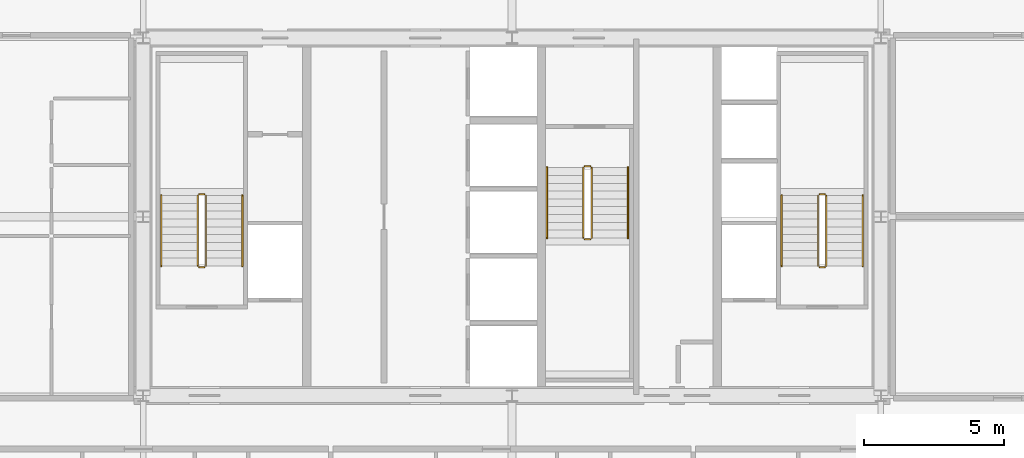
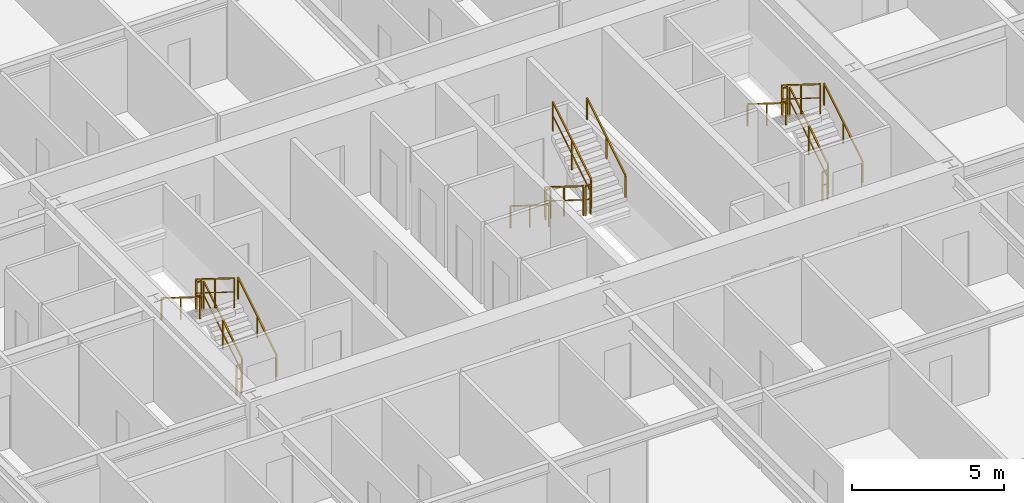
# One storey, part 38 of 38: 18 railings.
"""IFC4 building model written with IfcOpenShell, lengths in metres."""

from ifc_helpers import new_model, si_unit, direction, frame, origin, origin_2d, place, context, subcontext, project, spatial, rectangle, extrude, source, transform, mapped, material, layer, layer_set, type_object, element, save


model = new_model("IFC4")

# Units and contexts
model_context = context("Model", 3, precision=1e-05, world=origin(), true_north=direction((0.0, 1.0)))
body_context = subcontext(model_context, "Body", "Model", "MODEL_VIEW")
ifc_project = project(units=[si_unit("LENGTHUNIT", "METRE"), si_unit("AREAUNIT", "SQUARE_METRE"), si_unit("VOLUMEUNIT", "CUBIC_METRE"), si_unit("PLANEANGLEUNIT", "RADIAN"), si_unit("MASSUNIT", "GRAM", prefix="KILO"), si_unit("THERMODYNAMICTEMPERATUREUNIT", "KELVIN"), si_unit("POWERUNIT", "WATT")], contexts=[model_context])

# Site, building, storey
site_placement = place(None, origin())
site = spatial("IfcSite", under=ifc_project, at=site_placement, CompositionType="ELEMENT")
building_placement = place(site_placement, origin())
building = spatial("IfcBuilding", under=site, at=building_placement, Name="Yuzanri Waterfront Tower", CompositionType="ELEMENT")
storey_placement = place(building_placement, frame((0.0, 0.0, 202.0)))
storey = spatial("IfcBuildingStorey", under=building, at=storey_placement, Name="L53", CompositionType="ELEMENT", Elevation=202.0)

# Railings
ifc_material_1 = material(Name="Painted Galvanized Fire Steel", Category="steel")
ifc_layer_1 = layer(ifc_material_1, 0.06005859375)
ifc_layer_set_1 = layer_set([ifc_layer_1], Name="Painted Galvanized Fire Steel")
railing_type_1 = type_object("IfcRailingType", Name="Painted Steel Stairwell Guardrail 1120", PredefinedType="GUARDRAIL", material=ifc_layer_set_1)
shared_shape_1 = source(origin(), body_context, "Body", "SweptSolid", [
    extrude(rectangle(XDim=0.050048828125, YDim=0.050048828125, at=origin_2d()), frame((0.0, 0.0, 1.1748046875), z_axis=(-1.0, 0.0, 0.0), x_axis=(0.0, -1.0, 0.0)), (0.0, 0.0, 1.0), 0.199951171875),
    extrude(rectangle(XDim=0.035888671875, YDim=0.030029296875, at=origin_2d()), frame((0.0, 0.0, 0.6240234375), z_axis=(-1.0, 0.0, 0.0), x_axis=(0.0, -1.0, 0.0)), (0.0, 0.0, 1.0), 0.199951171875),
    extrude(rectangle(XDim=0.0458984375, YDim=0.0458984375, at=origin_2d()), origin(), (0.0, 0.0, 1.0), 1.14990234375),
    extrude(rectangle(XDim=0.0458984375, YDim=0.0458984375, at=origin_2d()), frame((-0.199951171875, 0.0, 0.0)), (0.0, 0.0, 1.0), 1.14990234375),
])
for number, where, name in (
    (1, (26.0, 26.610107421875, 1.75), "L53 ST-01 stair guard 2"),
    (2, (26.0, 23.989990234375, 0.0), "L53 ST-01 stair guard 4"),
    (3, (48.199951171875, 26.610107421875, 1.75), "L53 ST-02 stair guard 2"),
    (4, (48.199951171875, 23.989990234375, 0.0), "L53 ST-02 stair guard 4"),
):
    element("IfcRailing", number, at=place(storey_placement, frame(where)), inside=storey, type_object=railing_type_1, Name=name, PredefinedType="GUARDRAIL", context=body_context, shape_type="MappedRepresentation", body=[
        mapped(shared_shape_1, transform((0.0, 0.0, 0.0), scale=1.0)),
    ])
shared_shape_2 = source(origin(), body_context, "Body", "SweptSolid", [
    extrude(rectangle(XDim=0.050048828125, YDim=0.050048828125, at=origin_2d()), frame((0.0, 0.0, 1.1748046875), z_axis=(0.0, 0.848007534815, 0.529984170421), x_axis=(-1.0, 0.0, 0.0)), (0.0, 0.0, 1.0), 2.9716796875),
    extrude(rectangle(XDim=0.035888671875, YDim=0.030029296875, at=origin_2d()), frame((0.0, 0.0, 0.6240234375), z_axis=(0.0, 0.848007534815, 0.529984170421), x_axis=(-1.0, 0.0, 0.0)), (0.0, 0.0, 1.0), 2.9716796875),
    extrude(rectangle(XDim=0.0458984375, YDim=0.0458984375, at=origin_2d()), origin(), (0.0, 0.0, 1.0), 1.14990234375),
    extrude(rectangle(XDim=0.0458984375, YDim=0.0458984375, at=origin_2d()), frame((0.0, 1.260009765625, 0.78759765625)), (0.0, 0.0, 1.0), 1.14990234375),
    extrude(rectangle(XDim=0.0458984375, YDim=0.0458984375, at=origin_2d()), frame((0.0, 2.52001953125, 1.574951171875)), (0.0, 0.0, 1.0), 1.14990234375),
])
for number, where, name in (
    (5, (26.050048828125, 24.0400390625, 0.175048828125), "L53 ST-01 stair guard 1"),
    (6, (48.25, 24.0400390625, 0.175048828125), "L53 ST-02 stair guard 1"),
    (7, (39.85009765625, 25.0400390625, 1.925048828125), "L53 ST-03 stair guard 3"),
):
    element("IfcRailing", number, at=place(storey_placement, frame(where)), inside=storey, type_object=railing_type_1, Name=name, PredefinedType="GUARDRAIL", context=body_context, shape_type="MappedRepresentation", body=[
        mapped(shared_shape_2, transform((0.0, 0.0, 0.0), scale=1.0)),
    ])
shared_shape_3 = source(origin(), body_context, "Body", "SweptSolid", [
    extrude(rectangle(XDim=0.050048828125, YDim=0.050048828125, at=origin_2d()), frame((0.0, 0.0, 1.1748046875), z_axis=(0.0, -0.848007534815, 0.529984170421), x_axis=(1.0, 0.0, 0.0)), (0.0, 0.0, 1.0), 2.9716796875),
    extrude(rectangle(XDim=0.035888671875, YDim=0.030029296875, at=origin_2d()), frame((0.0, 0.0, 0.6240234375), z_axis=(0.0, -0.848007534815, 0.529984170421), x_axis=(1.0, 0.0, 0.0)), (0.0, 0.0, 1.0), 2.9716796875),
    extrude(rectangle(XDim=0.0458984375, YDim=0.0458984375, at=origin_2d()), origin(), (0.0, 0.0, 1.0), 1.14990234375),
    extrude(rectangle(XDim=0.0458984375, YDim=0.0458984375, at=origin_2d()), frame((0.0, -1.260009765625, 0.78759765625)), (0.0, 0.0, 1.0), 1.14990234375),
    extrude(rectangle(XDim=0.0458984375, YDim=0.0458984375, at=origin_2d()), frame((0.0, -2.52001953125, 1.574951171875)), (0.0, 0.0, 1.0), 1.14990234375),
])
for number, where, name in (
    (8, (25.75, 26.56005859375, 1.925048828125), "L53 ST-01 stair guard 3"),
    (9, (47.949951171875, 26.56005859375, 1.925048828125), "L53 ST-02 stair guard 3"),
    (10, (39.550048828125, 27.56005859375, 0.175048828125), "L53 ST-03 stair guard 1"),
):
    element("IfcRailing", number, at=place(storey_placement, frame(where)), inside=storey, type_object=railing_type_1, Name=name, PredefinedType="GUARDRAIL", context=body_context, shape_type="MappedRepresentation", body=[
        mapped(shared_shape_3, transform((0.0, 0.0, 0.0), scale=1.0)),
    ])
ifc_material_2 = material(Name="Anodized Architectural Bronze", Category="metal")
ifc_layer_2 = layer(ifc_material_2, 0.050048828125)
ifc_layer_set_2 = layer_set([ifc_layer_2], Name="Anodized Architectural Bronze")
railing_type_2 = type_object("IfcRailingType", Name="Brushed Bronze Stair Pitch Handrail 920", PredefinedType="HANDRAIL", material=ifc_layer_set_2)
shared_shape_4 = source(origin(), body_context, "Body", "SweptSolid", [
    extrude(rectangle(XDim=0.050048828125, YDim=0.050048828125, at=origin_2d()), frame((0.0, 0.0, 0.875), z_axis=(0.0, 0.848007534815, 0.529984170421), x_axis=(-1.0, 0.0, 0.0)), (0.0, 0.0, 1.0), 2.9716796875),
    extrude(rectangle(XDim=0.0458984375, YDim=0.0458984375, at=origin_2d()), origin(), (0.0, 0.0, 1.0), 0.849853515625),
    extrude(rectangle(XDim=0.0458984375, YDim=0.0458984375, at=origin_2d()), frame((0.0, 1.260009765625, 0.78759765625)), (0.0, 0.0, 1.0), 0.849853515625),
    extrude(rectangle(XDim=0.0458984375, YDim=0.0458984375, at=origin_2d()), frame((0.0, 2.52001953125, 1.574951171875)), (0.0, 0.0, 1.0), 0.849853515625),
])
for number, where, name in (
    (11, (27.35009765625, 24.0400390625, 0.175048828125), "L53 ST-01 stair handrail 1"),
    (12, (49.550048828125, 24.0400390625, 0.175048828125), "L53 ST-02 stair handrail 1"),
    (13, (41.14990234375, 25.0400390625, 1.925048828125), "L53 ST-03 stair handrail 2"),
):
    element("IfcRailing", number, at=place(storey_placement, frame(where)), inside=storey, type_object=railing_type_2, Name=name, PredefinedType="HANDRAIL", context=body_context, shape_type="MappedRepresentation", body=[
        mapped(shared_shape_4, transform((0.0, 0.0, 0.0), scale=1.0)),
    ])
shared_shape_5 = source(origin(), body_context, "Body", "SweptSolid", [
    extrude(rectangle(XDim=0.050048828125, YDim=0.050048828125, at=origin_2d()), frame((0.0, 0.0, 0.875), z_axis=(0.0, -0.848007534815, 0.529984170421), x_axis=(1.0, 0.0, 0.0)), (0.0, 0.0, 1.0), 2.9716796875),
    extrude(rectangle(XDim=0.0458984375, YDim=0.0458984375, at=origin_2d()), origin(), (0.0, 0.0, 1.0), 0.849853515625),
    extrude(rectangle(XDim=0.0458984375, YDim=0.0458984375, at=origin_2d()), frame((0.0, -1.260009765625, 0.78759765625)), (0.0, 0.0, 1.0), 0.849853515625),
    extrude(rectangle(XDim=0.0458984375, YDim=0.0458984375, at=origin_2d()), frame((0.0, -2.52001953125, 1.574951171875)), (0.0, 0.0, 1.0), 0.849853515625),
])
for number, where, name in (
    (14, (24.449951171875, 26.56005859375, 1.925048828125), "L53 ST-01 stair handrail 2"),
    (15, (46.64990234375, 26.56005859375, 1.925048828125), "L53 ST-02 stair handrail 2"),
    (16, (38.25, 27.56005859375, 0.175048828125), "L53 ST-03 stair handrail 1"),
):
    element("IfcRailing", number, at=place(storey_placement, frame(where)), inside=storey, type_object=railing_type_2, Name=name, PredefinedType="HANDRAIL", context=body_context, shape_type="MappedRepresentation", body=[
        mapped(shared_shape_5, transform((0.0, 0.0, 0.0), scale=1.0)),
    ])
shared_shape_6 = source(origin(), body_context, "Body", "SweptSolid", [
    extrude(rectangle(XDim=0.050048828125, YDim=0.050048828125, at=origin_2d()), frame((0.0, 0.0, 1.1748046875), z_axis=(1.0, 0.0, 0.0), x_axis=(0.0, 1.0, 0.0)), (0.0, 0.0, 1.0), 0.199951171875),
    extrude(rectangle(XDim=0.035888671875, YDim=0.030029296875, at=origin_2d()), frame((0.0, 0.0, 0.6240234375), z_axis=(1.0, 0.0, 0.0), x_axis=(0.0, 1.0, 0.0)), (0.0, 0.0, 1.0), 0.199951171875),
    extrude(rectangle(XDim=0.0458984375, YDim=0.0458984375, at=origin_2d()), origin(), (0.0, 0.0, 1.0), 1.14990234375),
    extrude(rectangle(XDim=0.0458984375, YDim=0.0458984375, at=origin_2d()), frame((0.199951171875, 0.0, 0.0)), (0.0, 0.0, 1.0), 1.14990234375),
])
for number, where, name in (
    (17, (39.60009765625, 24.989990234375, 1.75), "L53 ST-03 stair guard 2"),
    (18, (39.60009765625, 27.610107421875, 0.0), "L53 ST-03 stair guard 4"),
):
    element("IfcRailing", number, at=place(storey_placement, frame(where)), inside=storey, type_object=railing_type_1, Name=name, PredefinedType="GUARDRAIL", context=body_context, shape_type="MappedRepresentation", body=[
        mapped(shared_shape_6, transform((0.0, 0.0, 0.0), scale=1.0)),
    ])

save(model, "model.ifc")
